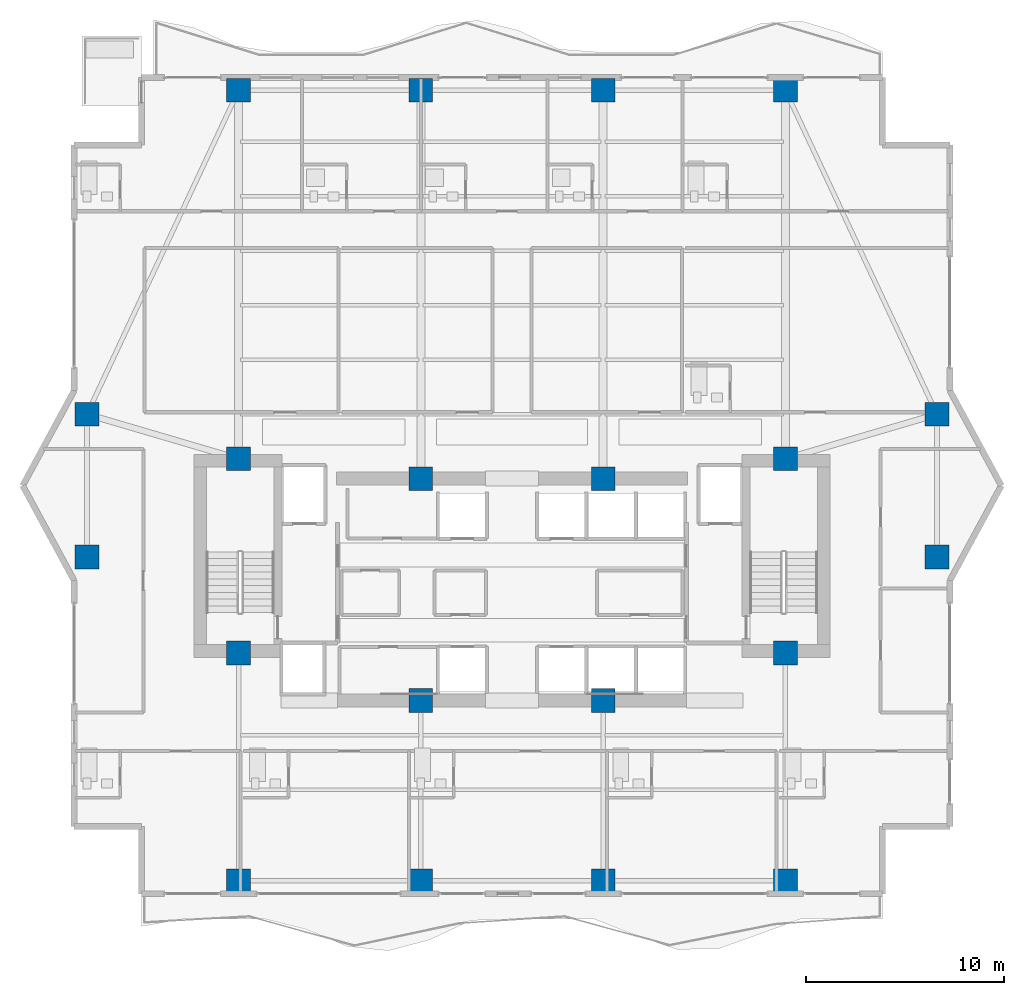
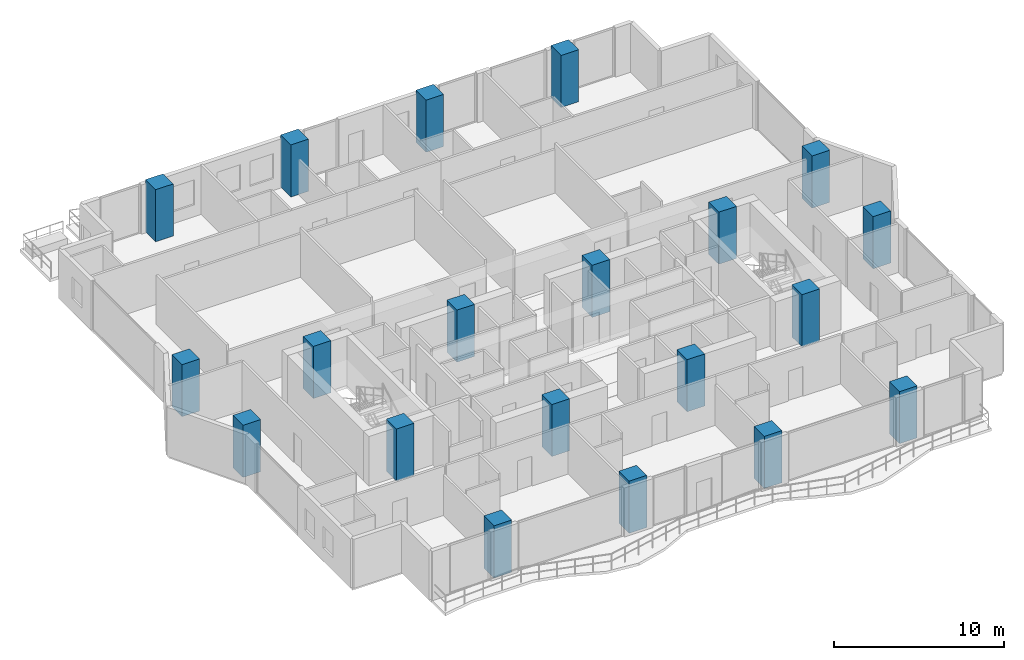
# One storey, part 1 of 32: 20 columns.
"""IFC4 building model written with IfcOpenShell, lengths in metres."""

from ifc_helpers import new_model, si_unit, direction, frame, origin, origin_2d, place, context, subcontext, project, spatial, rectangle, extrude, material, material_profile, profile_set, type_object, element, save


model = new_model("IFC4")

# Units and contexts
model_context = context("Model", 3, precision=1e-05, world=origin(), true_north=direction((0.0, 1.0)))
body_context = subcontext(model_context, "Body", "Model", "MODEL_VIEW")
ifc_project = project(units=[si_unit("LENGTHUNIT", "METRE"), si_unit("AREAUNIT", "SQUARE_METRE"), si_unit("VOLUMEUNIT", "CUBIC_METRE"), si_unit("PLANEANGLEUNIT", "RADIAN"), si_unit("MASSUNIT", "GRAM", prefix="KILO")], contexts=[model_context])

# Site, building, storey
site_placement = place(None, origin())
site = spatial("IfcSite", under=ifc_project, at=site_placement, CompositionType="ELEMENT")
building_placement = place(site_placement, origin())
building = spatial("IfcBuilding", under=site, at=building_placement, Name="Zuhayl Quay Hotel", CompositionType="ELEMENT")
storey_placement = place(building_placement, frame((0.0, 0.0, 181.14990234375)))
storey = spatial("IfcBuildingStorey", under=building, at=storey_placement, Name="L45", CompositionType="ELEMENT", Elevation=181.14990234375)

# Columns
ifc_material = material(Name="Concrete C60/75", Category="concrete")
ifc_material_profile_1 = material_profile(ifc_material, rectangle(XDim=1.199951171875, YDim=1.199951171875, at=origin_2d()), Name="RC1200X1200")
ifc_profile_set_1 = profile_set([ifc_material_profile_1], Name="Concrete C60/75")
column_type_1 = type_object("IfcColumnType", Name="CL_CC2_1200", PredefinedType="COLUMN", material=ifc_profile_set_1)
for number, where, z_axis, x_axis, name in (
    (1, (-13.800048828125, 14.35009765625, 0.0), (0.0, 0.0, 1.0), (1.0, 0.0, 0.0), "L45 Core Column CC_NW"),
    (2, (-4.60009765625, 13.35009765625, 0.0), (0.0, 0.0, 1.0), (1.0, 0.0, 0.0), "L45 Core Column CC_CNW"),
    (3, (4.60009765625, 13.35009765625, 0.0), (0.0, 0.0, 1.0), (1.0, 0.0, 0.0), "L45 Core Column CC_CNE"),
    (4, (13.800048828125, 14.35009765625, 0.0), (0.0, 0.0, 1.0), (1.0, 0.0, 0.0), "L45 Core Column CC_NE"),
    (5, (-13.800048828125, 4.550048828125, 0.0), (0.0, 0.0, 1.0), (1.0, 0.0, 0.0), "L45 Core Column CC_SW"),
    (6, (-4.60009765625, 2.14990234375, 0.0), (0.0, 0.0, 1.0), (1.0, 0.0, 0.0), "L45 Core Column CC_CSW"),
    (7, (4.60009765625, 2.14990234375, 0.0), (0.0, 0.0, 1.0), (1.0, 0.0, 0.0), "L45 Core Column CC_CSE"),
    (8, (13.800048828125, 4.550048828125, 0.0), (0.0, 0.0, 1.0), (1.0, 0.0, 0.0), "L45 Core Column CC_SE"),
):
    element("IfcColumn", number, at=place(storey_placement, frame(where, z_axis=z_axis, x_axis=x_axis)), inside=storey, type_object=column_type_1, Name=name, PredefinedType="COLUMN", context=body_context, shape_type="SweptSolid", body=[
        extrude(rectangle(XDim=1.199951171875, YDim=1.199951171875, at=origin_2d()), origin(), (0.0, 0.0, 1.0), 3.75),
    ])
ifc_material_profile_2 = material_profile(ifc_material, rectangle(XDim=1.199951171875, YDim=1.199951171875, at=origin_2d()), Name="RC1200X1200")
ifc_profile_set_2 = profile_set([ifc_material_profile_2], Name="Concrete C60/75")
column_type_2 = type_object("IfcColumnType", Name="CL_MC3_1200", PredefinedType="COLUMN", material=ifc_profile_set_2)
for number, where, z_axis, x_axis, name in (
    (9, (-13.800048828125, -6.949951171875, 0.0), (0.0, 0.0, 1.0), (1.0, 0.0, 0.0), "L45 Mega-Column MC_S1"),
    (10, (-4.60009765625, -6.949951171875, 0.0), (0.0, 0.0, 1.0), (1.0, 0.0, 0.0), "L45 Mega-Column MC_S2"),
    (11, (4.60009765625, -6.949951171875, 0.0), (0.0, 0.0, 1.0), (1.0, 0.0, 0.0), "L45 Mega-Column MC_S3"),
    (12, (13.800048828125, -6.949951171875, 0.0), (0.0, 0.0, 1.0), (1.0, 0.0, 0.0), "L45 Mega-Column MC_S4"),
    (13, (-13.800048828125, 32.949951171875, 0.0), (0.0, 0.0, 1.0), (1.0, 0.0, 0.0), "L45 Mega-Column MC_N1"),
    (14, (-4.60009765625, 32.949951171875, 0.0), (0.0, 0.0, 1.0), (1.0, 0.0, 0.0), "L45 Mega-Column MC_N2"),
    (15, (4.60009765625, 32.949951171875, 0.0), (0.0, 0.0, 1.0), (1.0, 0.0, 0.0), "L45 Mega-Column MC_N3"),
    (16, (13.800048828125, 32.949951171875, 0.0), (0.0, 0.0, 1.0), (1.0, 0.0, 0.0), "L45 Mega-Column MC_N4"),
    (17, (-21.449951171875, 9.39990234375, 0.0), (0.0, 0.0, 1.0), (1.0, 0.0, 0.0), "L45 Mega-Column MC_W1"),
    (18, (-21.449951171875, 16.60009765625, 0.0), (0.0, 0.0, 1.0), (1.0, 0.0, 0.0), "L45 Mega-Column MC_W2"),
    (19, (21.449951171875, 9.39990234375, 0.0), (0.0, 0.0, 1.0), (1.0, 0.0, 0.0), "L45 Mega-Column MC_E1"),
    (20, (21.449951171875, 16.60009765625, 0.0), (0.0, 0.0, 1.0), (1.0, 0.0, 0.0), "L45 Mega-Column MC_E2"),
):
    element("IfcColumn", number, at=place(storey_placement, frame(where, z_axis=z_axis, x_axis=x_axis)), inside=storey, type_object=column_type_2, Name=name, PredefinedType="COLUMN", context=body_context, shape_type="SweptSolid", body=[
        extrude(rectangle(XDim=1.199951171875, YDim=1.199951171875, at=origin_2d()), origin(), (0.0, 0.0, 1.0), 3.75),
    ])

save(model, "model.ifc")
